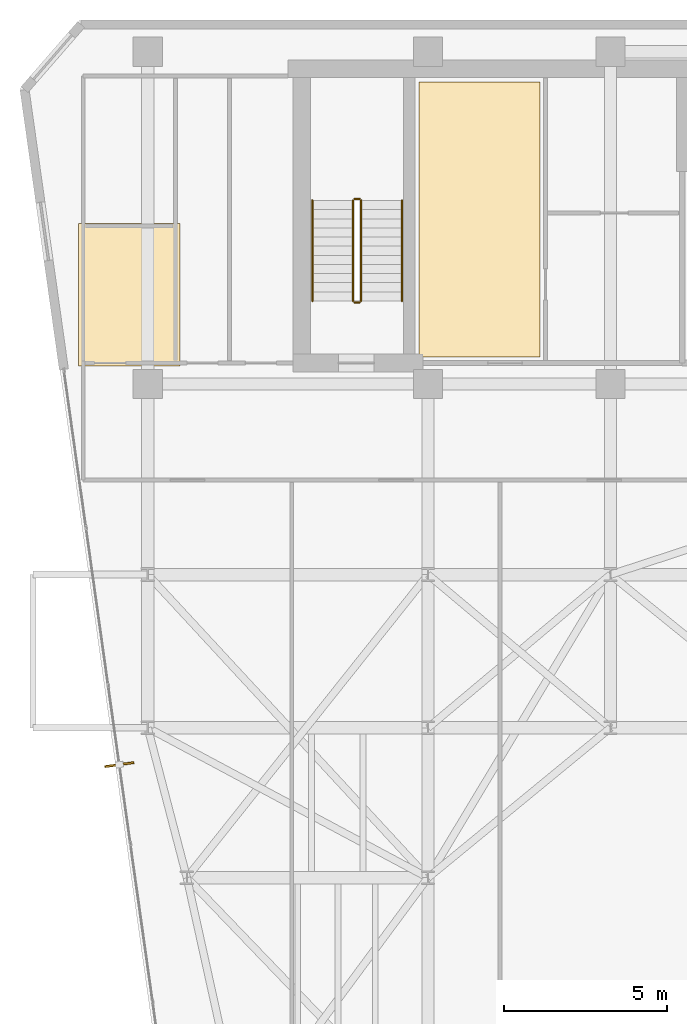
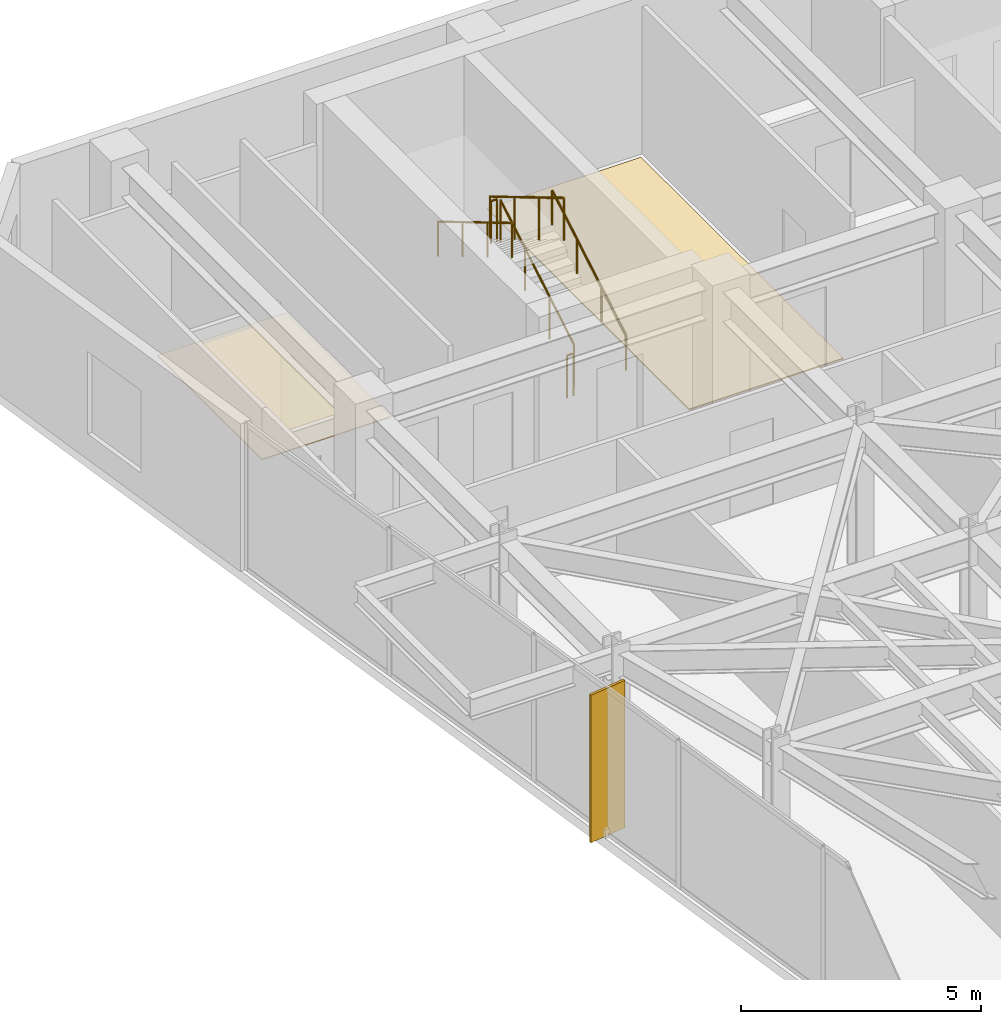
# One storey, part 25 of 27: 6 railings, 2 coverings, 1 shading device.
"""IFC4 building model written with IfcOpenShell, lengths in metres."""

from ifc_helpers import new_model, si_unit, direction, frame, origin, origin_2d, place, context, subcontext, project, spatial, polyline, rectangle, circle, outline, extrude, material, layer, layer_set, type_object, element, save


model = new_model("IFC4")

# Units and contexts
model_context = context("Model", 3, precision=1e-05, world=origin(), true_north=direction((0.0, 1.0)))
body_context = subcontext(model_context, "Body", "Model", "MODEL_VIEW")
ifc_project = project(units=[si_unit("LENGTHUNIT", "METRE"), si_unit("AREAUNIT", "SQUARE_METRE"), si_unit("VOLUMEUNIT", "CUBIC_METRE"), si_unit("PLANEANGLEUNIT", "RADIAN"), si_unit("MASSUNIT", "GRAM", prefix="KILO")], contexts=[model_context])

# Site, building, storey
site_placement = place(None, origin())
site = spatial("IfcSite", under=ifc_project, at=site_placement, CompositionType="ELEMENT")
building_placement = place(site_placement, origin())
building = spatial("IfcBuilding", under=site, at=building_placement, Name="Kravanh Interchange Tower", CompositionType="ELEMENT")
storey_placement = place(building_placement, frame((0.0, 0.0, 164.5)))
storey = spatial("IfcBuildingStorey", under=building, at=storey_placement, Name="L39", CompositionType="ELEMENT", Elevation=164.5)

# Coverings
ifc_material_1 = material(Name="Cementitious Terrazzo Tile")
ifc_layer_1 = layer(ifc_material_1, 0.030029296875)
ifc_layer_set_1 = layer_set([ifc_layer_1], Name="Honed Terrazzo Lobby Flooring 30mm")
covering_type_1 = type_object("IfcCoveringType", Name="Honed Terrazzo Lobby Flooring 30mm", PredefinedType="FLOORING", material=ifc_layer_set_1)
covering_1_placement = place(storey_placement, origin())
element("IfcCovering", 1, at=covering_1_placement, inside=storey, type_object=covering_type_1, Name="L39 Staff Break and Coffee Room Floor Finish", PredefinedType="FLOORING", context=body_context, shape_type="SweptSolid", body=[
    extrude(outline(polyline([(26.929931640625, 46.6201171875), (30.639892578125, 46.6201171875), (30.639892578125, 38.179931640625), (26.929931640625, 38.179931640625), (26.929931640625, 46.6201171875)])), origin(), (0.0, 0.0, 1.0), 0.030029296875),
])
ifc_material_2 = material(Name="Acoustic Mineral Fibre Tile on Aluminium Grid", Category="aluminium")
ifc_layer_2 = layer(ifc_material_2, 0.02490234375)
ifc_layer_set_2 = layer_set([ifc_layer_2], Name="Perforated Acoustic Mineral Ceiling 25mm")
covering_type_2 = type_object("IfcCoveringType", Name="Perforated Acoustic Mineral Ceiling 25mm", PredefinedType="CEILING", material=ifc_layer_set_2)
covering_2_placement = place(storey_placement, frame((0.0, 0.0, 2.550048828125)))
element("IfcCovering", 2, at=covering_2_placement, inside=storey, type_object=covering_type_2, Name="L39 Accessible WC Suspended Ceiling", PredefinedType="CEILING", context=body_context, shape_type="SweptSolid", body=[
    extrude(outline(polyline([(19.590087890625, 42.280029296875), (19.590087890625, 37.909912109375), (16.47998046875, 37.909912109375), (16.47998046875, 42.280029296875), (19.590087890625, 42.280029296875)])), origin(), (0.0, 0.0, 1.0), 0.02490234375),
])

# Railings
ifc_material_3 = material(Name="Structural Steel S355", Category="steel")
ifc_layer_3 = layer(ifc_material_3, 0.050048828125)
ifc_layer_set_3 = layer_set([ifc_layer_3], Name="Stair Well Guardrail Structural Steel S355 1100mm")
railing_type_1 = type_object("IfcRailingType", Name="Stair Well Guardrail Structural Steel S355 1100mm", PredefinedType="GUARDRAIL", material=ifc_layer_set_3)
railing_1_placement = place(storey_placement, frame((25.14990234375, 39.89990234375, 0.166748046875)))
element("IfcRailing", 3, at=railing_1_placement, inside=storey, type_object=railing_type_1, Name="L39 ST3 stair guard 1", PredefinedType="GUARDRAIL", context=body_context, shape_type="SweptSolid", body=[
    extrude(circle(Radius=0.02392578125, at=origin_2d()), frame((0.0, 0.0, 1.076171875), z_axis=(0.0, 0.859308565015, 0.511457515432), x_axis=(-1.0, 0.0, 0.0)), (0.0, 0.0, 1.0), 3.58447265625),
    extrude(circle(Radius=0.02099609375, at=origin_2d()), origin(), (0.0, 0.0, 1.0), 1.052001953125),
    extrude(circle(Radius=0.02099609375, at=origin_2d()), frame((0.0, 1.026611328125, 0.611083984375)), (0.0, 0.0, 1.0), 1.052001953125),
    extrude(circle(Radius=0.02099609375, at=origin_2d()), frame((0.0, 2.053466796875, 1.22216796875)), (0.0, 0.0, 1.0), 1.052001953125),
    extrude(circle(Radius=0.02099609375, at=origin_2d()), frame((0.0, 3.080078125, 1.833251953125)), (0.0, 0.0, 1.0), 1.052001953125),
])
railing_2_placement = place(storey_placement, frame((25.10009765625, 43.030029296875, 2.0)))
element("IfcRailing", 4, at=railing_2_placement, inside=storey, type_object=railing_type_1, Name="L39 ST3 stair guard 2", PredefinedType="GUARDRAIL", context=body_context, shape_type="SweptSolid", body=[
    extrude(circle(Radius=0.02392578125, at=origin_2d()), frame((0.0, 0.0, 1.076171875), z_axis=(-1.0, 0.0, 0.0), x_axis=(0.0, -1.0, 0.0)), (0.0, 0.0, 1.0), 0.150146484375),
    extrude(circle(Radius=0.02099609375, at=origin_2d()), origin(), (0.0, 0.0, 1.0), 1.052001953125),
    extrude(circle(Radius=0.02099609375, at=origin_2d()), frame((-0.150146484375, 0.0, 0.0)), (0.0, 0.0, 1.0), 1.052001953125),
])
railing_3_placement = place(storey_placement, frame((24.89990234375, 42.97998046875, 2.166748046875)))
element("IfcRailing", 5, at=railing_3_placement, inside=storey, type_object=railing_type_1, Name="L39 ST3 stair guard 3", PredefinedType="GUARDRAIL", context=body_context, shape_type="SweptSolid", body=[
    extrude(circle(Radius=0.02392578125, at=origin_2d()), frame((0.0, 0.0, 1.076171875), z_axis=(0.0, -0.859308565015, 0.511457515432), x_axis=(1.0, 0.0, 0.0)), (0.0, 0.0, 1.0), 3.58447265625),
    extrude(circle(Radius=0.02099609375, at=origin_2d()), origin(), (0.0, 0.0, 1.0), 1.052001953125),
    extrude(circle(Radius=0.02099609375, at=origin_2d()), frame((0.0, -1.026611328125, 0.611083984375)), (0.0, 0.0, 1.0), 1.052001953125),
    extrude(circle(Radius=0.02099609375, at=origin_2d()), frame((0.0, -2.053466796875, 1.22216796875)), (0.0, 0.0, 1.0), 1.052001953125),
    extrude(circle(Radius=0.02099609375, at=origin_2d()), frame((0.0, -3.080078125, 1.833251953125)), (0.0, 0.0, 1.0), 1.052001953125),
])
railing_4_placement = place(storey_placement, frame((25.10009765625, 39.85009765625, 0.0)))
element("IfcRailing", 6, at=railing_4_placement, inside=storey, type_object=railing_type_1, Name="L39 ST3 stair guard 4", PredefinedType="GUARDRAIL", context=body_context, shape_type="SweptSolid", body=[
    extrude(circle(Radius=0.02392578125, at=origin_2d()), frame((0.0, 0.0, 1.076171875), z_axis=(-1.0, 0.0, 0.0), x_axis=(0.0, -1.0, 0.0)), (0.0, 0.0, 1.0), 0.150146484375),
    extrude(circle(Radius=0.02099609375, at=origin_2d()), origin(), (0.0, 0.0, 1.0), 1.052001953125),
    extrude(circle(Radius=0.02099609375, at=origin_2d()), frame((-0.150146484375, 0.0, 0.0)), (0.0, 0.0, 1.0), 1.052001953125),
])
ifc_material_4 = material(Name="Stainless Steel 304", Category="steel")
ifc_layer_4 = layer(ifc_material_4, 0.044921875)
ifc_layer_set_4 = layer_set([ifc_layer_4], Name="Tubular Stair Handrail Stainless 304 900mm")
railing_type_2 = type_object("IfcRailingType", Name="Tubular Stair Handrail Stainless 304 900mm", PredefinedType="HANDRAIL", material=ifc_layer_set_4)
railing_5_placement = place(storey_placement, frame((26.39990234375, 39.89990234375, 0.166748046875)))
element("IfcRailing", 7, at=railing_5_placement, inside=storey, type_object=railing_type_2, Name="L39 ST3 stair handrail 1", PredefinedType="HANDRAIL", context=body_context, shape_type="SweptSolid", body=[
    extrude(circle(Radius=0.02392578125, at=origin_2d()), frame((0.0, 0.0, 0.8759765625), z_axis=(0.0, 0.859308565015, 0.511457515432), x_axis=(-1.0, 0.0, 0.0)), (0.0, 0.0, 1.0), 3.58447265625),
    extrude(circle(Radius=0.02099609375, at=origin_2d()), origin(), (0.0, 0.0, 1.0), 0.851806640625),
    extrude(circle(Radius=0.02099609375, at=origin_2d()), frame((0.0, 1.026611328125, 0.611083984375)), (0.0, 0.0, 1.0), 0.851806640625),
    extrude(circle(Radius=0.02099609375, at=origin_2d()), frame((0.0, 2.053466796875, 1.22216796875)), (0.0, 0.0, 1.0), 0.851806640625),
    extrude(circle(Radius=0.02099609375, at=origin_2d()), frame((0.0, 3.080078125, 1.833251953125)), (0.0, 0.0, 1.0), 0.851806640625),
])
railing_6_placement = place(storey_placement, frame((23.64990234375, 42.97998046875, 2.166748046875)))
element("IfcRailing", 8, at=railing_6_placement, inside=storey, type_object=railing_type_2, Name="L39 ST3 stair handrail 2", PredefinedType="HANDRAIL", context=body_context, shape_type="SweptSolid", body=[
    extrude(circle(Radius=0.02392578125, at=origin_2d()), frame((0.0, 0.0, 0.8759765625), z_axis=(0.0, -0.859308565015, 0.511457515432), x_axis=(1.0, 0.0, 0.0)), (0.0, 0.0, 1.0), 3.58447265625),
    extrude(circle(Radius=0.02099609375, at=origin_2d()), origin(), (0.0, 0.0, 1.0), 0.851806640625),
    extrude(circle(Radius=0.02099609375, at=origin_2d()), frame((0.0, -1.026611328125, 0.611083984375)), (0.0, 0.0, 1.0), 0.851806640625),
    extrude(circle(Radius=0.02099609375, at=origin_2d()), frame((0.0, -2.053466796875, 1.22216796875)), (0.0, 0.0, 1.0), 0.851806640625),
    extrude(circle(Radius=0.02099609375, at=origin_2d()), frame((0.0, -3.080078125, 1.833251953125)), (0.0, 0.0, 1.0), 0.851806640625),
])

# Shading device
ifc_material_5 = material(Name="Anodised Champagne Bronze Aluminium", Category="aluminium")
ifc_layer_5 = layer(ifc_material_5, 0.06005859375)
ifc_layer_set_5 = layer_set([ifc_layer_5], Name="Vertical Bronze Solar Fin 900mm")
shading_device_type = type_object("IfcShadingDeviceType", Name="Vertical Bronze Solar Fin 900mm", PredefinedType="USERDEFINED", material=ifc_layer_set_5)
shading_device_placement = place(storey_placement, frame((17.729736328125, 25.67041015625, 0.0), z_axis=(0.0, 0.0, 1.0), x_axis=(-0.990268182791, -0.139172289451, 0.0)))
element("IfcShadingDevice", 9, at=shading_device_placement, inside=storey, type_object=shading_device_type, Name="L39 BRONZE SOLAR FIN 1", ObjectType="FIN", PredefinedType="USERDEFINED", context=body_context, shape_type="SweptSolid", body=[
    extrude(rectangle(XDim=0.89990234375, YDim=0.06005859375, at=origin_2d()), origin(), (0.0, 0.0, 1.0), 3.7548828125),
])

save(model, "model.ifc")
